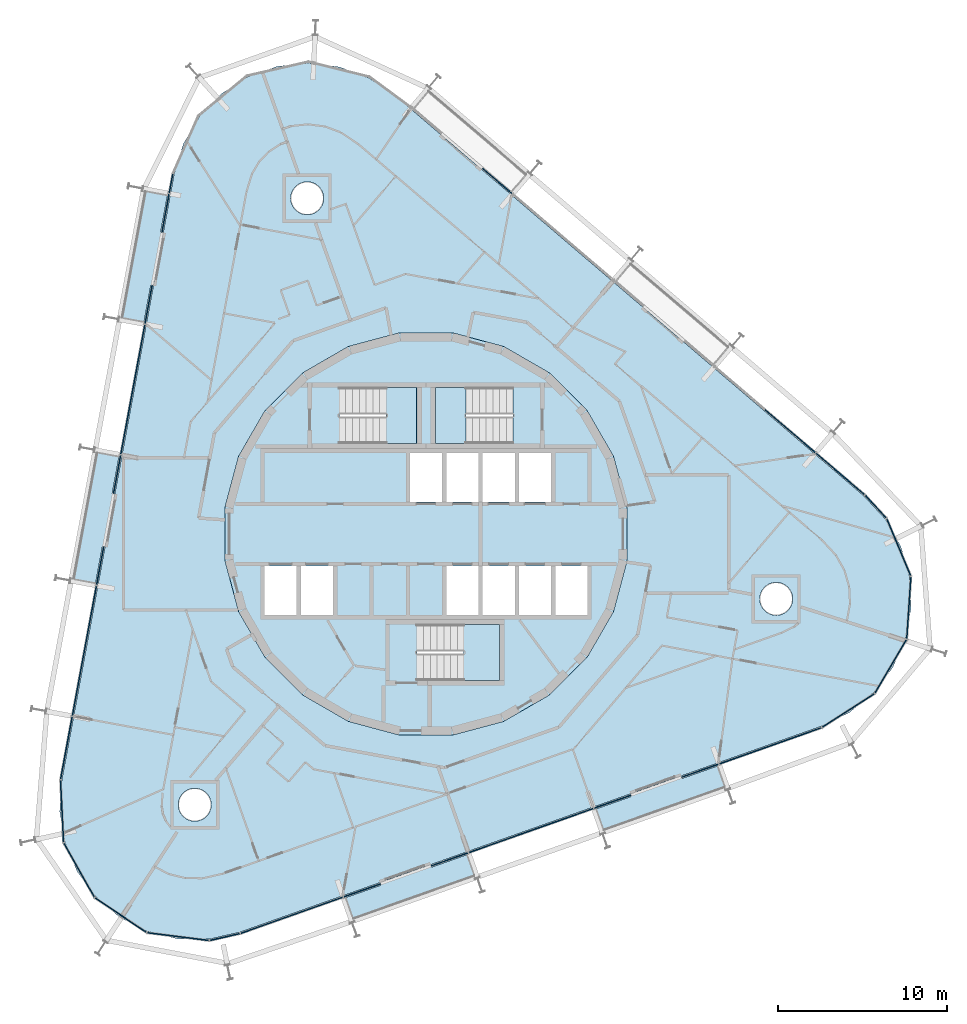
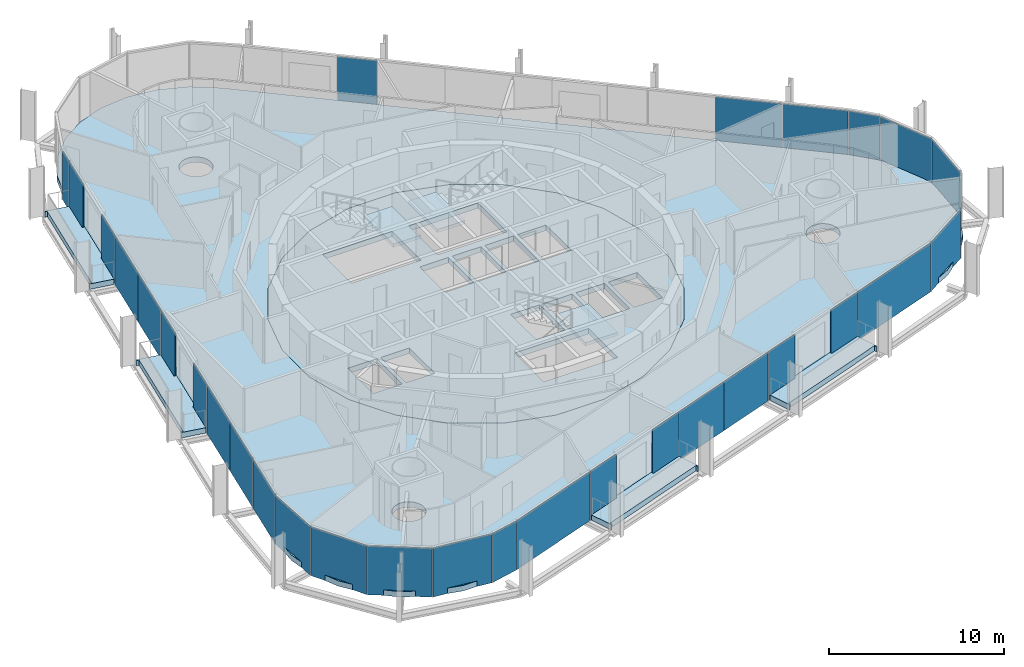
# One storey, part 9 of 17: 31 plates, 9 slabs, 9 elements without a shape of their own.
"""IFC4 building model written with IfcOpenShell, lengths in metres."""

import ifcopenshell
import ifcopenshell.guid

model = None  # the IFC model being written
_history = None  # IfcOwnerHistory: only IFC2X3 demands one
_inside = {}  # id of a spatial element -> (the spatial element, [elements in it])
_under = {}  # id of a project, library or spatial element -> (it, [spatial elements below it])
_declared = {}  # id of a project -> (the project, [libraries it declares])
_typed = {}  # id of a type object -> (the type object, [elements of that type])
_made_of = {}  # id of a material, layer set ... -> (it, [elements and type objects made of it])


def new_model(schema):
    """Start an empty IFC model of exactly this schema.

    Asked for "IFC4X3", IfcOpenShell would pick the latest addendum, in which some entities
    have other attributes; the version numbers below select the first issue.
    IFC2X3 requires an IfcOwnerHistory on every rooted entity: one is made here for all.
    """
    global model, _history
    if schema == "IFC4X3":
        model = ifcopenshell.file(schema_version=(4, 3, 0, 0))
    else:
        model = ifcopenshell.file(schema=schema)
    _inside.clear()
    _under.clear()
    _declared.clear()
    _typed.clear()
    _made_of.clear()
    _history = None
    if model.schema == "IFC2X3":
        org = make("IfcOrganization", Name="unknown")
        user = make(
            "IfcPersonAndOrganization",
            ThePerson=make("IfcPerson", FamilyName="unknown"),
            TheOrganization=org,
        )
        app = make(
            "IfcApplication",
            ApplicationDeveloper=org,
            Version="unknown",
            ApplicationFullName="unknown",
            ApplicationIdentifier="unknown",
        )
        _history = make(
            "IfcOwnerHistory",
            OwningUser=user,
            OwningApplication=app,
            ChangeAction="ADDED",
            CreationDate=0,
        )
    return model


def make(cls, **values):
    """One entity of the class cls with the attributes given. An attribute that is None is left unset."""
    return model.create_entity(
        cls, **{name: value for name, value in values.items() if value is not None}
    )


def rooted(cls, **values):
    """An entity with a GlobalId (a new one), such as an element, a storey or a relation."""
    return make(cls, GlobalId=ifcopenshell.guid.new(), OwnerHistory=_history, **values)


def si_unit(unit_type, name, prefix=None):
    """IfcSIUnit, for example si_unit("LENGTHUNIT", "METRE", prefix="MILLI")."""
    return make("IfcSIUnit", UnitType=unit_type, Prefix=prefix, Name=name)


def assignment(units):
    """IfcUnitAssignment: the units of a project."""
    return None if units is None else make("IfcUnitAssignment", Units=units)


def point(xyz):
    """IfcCartesianPoint."""
    return None if xyz is None else make("IfcCartesianPoint", Coordinates=xyz)


def direction(xyz):
    """IfcDirection."""
    return None if xyz is None else make("IfcDirection", DirectionRatios=xyz)


def frame(location, z_axis=None, x_axis=None):
    """IfcAxis2Placement3D, a coordinate frame: its origin and axes. An axis left out is left unset."""
    return make(
        "IfcAxis2Placement3D",
        Location=point(location),
        Axis=direction(z_axis),
        RefDirection=direction(x_axis),
    )


def frame_2d(location, x_axis=None):
    """IfcAxis2Placement2D, a coordinate frame in the plane: its origin and x axis."""
    return make(
        "IfcAxis2Placement2D", Location=point(location), RefDirection=direction(x_axis)
    )


def origin():
    """The frame at (0, 0, 0) with its axes left unset."""
    return frame((0.0, 0.0, 0.0))


def origin_2d():
    """The frame at (0, 0) in the plane with its x axis left unset."""
    return frame_2d((0.0, 0.0))


def place(relative_to, where):
    """IfcLocalPlacement: puts the frame where relative to a parent placement (None: the world)."""
    return make(
        "IfcLocalPlacement", PlacementRelTo=relative_to, RelativePlacement=where
    )


def context(
    kind, dimensions, precision=None, world=None, true_north=None, identifier=None
):
    """IfcGeometricRepresentationContext, for example the 3D "Model" context."""
    return make(
        "IfcGeometricRepresentationContext",
        ContextIdentifier=identifier,
        ContextType=kind,
        CoordinateSpaceDimension=dimensions,
        Precision=precision,
        WorldCoordinateSystem=world,
        TrueNorth=true_north,
    )


def subcontext(parent, identifier, kind, view, scale=None):
    """IfcGeometricRepresentationSubContext, for example "Body" below "Model"."""
    return make(
        "IfcGeometricRepresentationSubContext",
        ContextIdentifier=identifier,
        ContextType=kind,
        ParentContext=parent,
        TargetScale=scale,
        TargetView=view,
    )


def project(units=None, contexts=None):
    """IfcProject with its units and contexts."""
    return rooted(
        "IfcProject",
        Name="project",
        RepresentationContexts=contexts,
        UnitsInContext=assignment(units),
    )


def spatial(cls, under=None, at=None, **own):
    """A site, building, storey or space (cls), placed at a placement, below another one or the project."""
    s = rooted(cls, ObjectPlacement=at, **own)
    if under is not None:
        _under.setdefault(under.id(), (under, []))[1].append(s)
    return s


def polyline(points):
    """IfcPolyline through the points."""
    return make("IfcPolyline", Points=[point(p) for p in points])


def profile(cls, at=None, kind="AREA", **sizes):
    """A parametric profile (cls). Its sizes go by their IFC names, for example OverallWidth=200.0."""
    return make(cls, ProfileType=kind, Position=at, **sizes)


def rectangle(**sizes):
    """IfcRectangleProfileDef."""
    return profile("IfcRectangleProfileDef", **sizes)


def outline(outer, holes=None, kind="AREA"):
    """IfcArbitraryClosedProfileDef: a profile drawn as a closed curve; with holes, ...WithVoids."""
    if holes is None:
        return make("IfcArbitraryClosedProfileDef", ProfileType=kind, OuterCurve=outer)
    return make(
        "IfcArbitraryProfileDefWithVoids",
        ProfileType=kind,
        OuterCurve=outer,
        InnerCurves=holes,
    )


def extrude(swept, where, along, depth):
    """IfcExtrudedAreaSolid: the profile swept, set in the frame where, extruded along a direction by depth."""
    return make(
        "IfcExtrudedAreaSolid",
        SweptArea=swept,
        Position=where,
        ExtrudedDirection=direction(along),
        Depth=depth,
    )


def shape(context_of_items, identifier, shape_type, items):
    """IfcShapeRepresentation: the items that make up one representation, for example the "Body"."""
    return make(
        "IfcShapeRepresentation",
        ContextOfItems=context_of_items,
        RepresentationIdentifier=identifier,
        RepresentationType=shape_type,
        Items=items,
    )


def material(Name=None, Category=None):
    """IfcMaterial."""
    return make("IfcMaterial", Name=Name, Category=Category)


def layer(
    of_material, thickness, ventilated=None, Name=None, Category=None, Priority=None
):
    """IfcMaterialLayer: one layer of a wall or slab, of a material (None: an air gap)."""
    return make(
        "IfcMaterialLayer",
        Material=of_material,
        LayerThickness=thickness,
        IsVentilated=ventilated,
        Name=Name,
        Category=Category,
        Priority=Priority,
    )


def layer_set(layers, Name=None):
    """IfcMaterialLayerSet."""
    return make("IfcMaterialLayerSet", MaterialLayers=layers, LayerSetName=Name)


def made_of(thing, what):
    """Note that an element or type object is made of a material, layer set ...; save() writes the relation."""
    if what is not None:
        _made_of.setdefault(what.id(), (what, []))[1].append(thing)
    return thing


def type_object(cls, material=None, **own):
    """A type object (cls), such as IfcWallType, which elements share."""
    return made_of(rooted(cls, **own), material)


def element(
    cls,
    number,
    at=None,
    inside=None,
    cuts=None,
    type_object=None,
    material=None,
    context=None,
    identifier="Body",
    shape_type=None,
    held_by="IfcProductDefinitionShape",
    body=None,
    shapes=None,
    **own,
):
    """One element of the class cls, such as IfcWall. Its Tag is "e" and its number.

    at: its placement. inside: the storey or other place that contains it. cuts: it is an
    opening in that element (IfcRelVoidsElement). A single representation is given by context,
    identifier, shape_type and body (its items); several are given by shapes. held_by: the class
    of the entity that holds the representations. save() writes the other relations.
    """
    e = rooted(cls, Tag="e%d" % number, ObjectPlacement=at, **own)
    if body is not None:
        shapes = [shape(context, identifier, shape_type, body)]
    if shapes is not None:
        e.Representation = make(held_by, Representations=shapes)
    if inside is not None:
        _inside.setdefault(inside.id(), (inside, []))[1].append(e)
    if cuts is not None:
        rooted(
            "IfcRelVoidsElement", RelatingBuildingElement=cuts, RelatedOpeningElement=e
        )
    if type_object is not None:
        _typed.setdefault(type_object.id(), (type_object, []))[1].append(e)
    return made_of(e, material)


def aggregate(whole, parts):
    """IfcRelAggregates: a whole, such as a stair, and the parts it consists of."""
    return rooted("IfcRelAggregates", RelatingObject=whole, RelatedObjects=parts)


def save(model, path):
    """Write the relations noted so far, then the file.

    IfcRelAggregates (storeys below a building ...), IfcRelContainedInSpatialStructure (elements
    in a storey), IfcRelDefinesByType, IfcRelAssociatesMaterial and IfcRelDeclares: one each for
    every whole, place, type object, material and project.
    """
    for whole, parts in _under.values():
        aggregate(whole, parts)
    for where, things in _inside.values():
        rooted(
            "IfcRelContainedInSpatialStructure",
            RelatedElements=things,
            RelatingStructure=where,
        )
    for kind, things in _typed.values():
        rooted("IfcRelDefinesByType", RelatedObjects=things, RelatingType=kind)
    for what, things in _made_of.values():
        rooted("IfcRelAssociatesMaterial", RelatedObjects=things, RelatingMaterial=what)
    for by, libraries in _declared.values():
        rooted("IfcRelDeclares", RelatingContext=by, RelatedDefinitions=libraries)
    model.write(path)


model = new_model("IFC4")

# Units and contexts
model_context = context("Model", 3, precision=1e-05, world=origin(), true_north=direction((0.0, 1.0)))
body_context = subcontext(model_context, "Body", "Model", "MODEL_VIEW")
ifc_project = project(units=[si_unit("LENGTHUNIT", "METRE"), si_unit("AREAUNIT", "SQUARE_METRE"), si_unit("VOLUMEUNIT", "CUBIC_METRE"), si_unit("PLANEANGLEUNIT", "RADIAN"), si_unit("MASSUNIT", "GRAM", prefix="KILO")], contexts=[model_context])

# Site, building, storey
site_placement = place(None, origin())
site = spatial("IfcSite", under=ifc_project, at=site_placement, CompositionType="ELEMENT")
building_placement = place(site_placement, origin())
building = spatial("IfcBuilding", under=site, at=building_placement, Name="Spindle Arch Residences", CompositionType="ELEMENT")
storey_placement = place(building_placement, frame((0.0, 0.0, 158.699951171875)))
storey = spatial("IfcBuildingStorey", under=building, at=storey_placement, Name="L39", CompositionType="ELEMENT", Elevation=158.699951171875)

# Slabs
ifc_material_1 = material(Name="Concrete C40/50", Category="concrete")
ifc_layer_1 = layer(ifc_material_1, 0.3798828125)
ifc_layer_set_1 = layer_set([ifc_layer_1], Name="Balcony slab 380")
slab_type_1 = type_object("IfcSlabType", Name="Balcony slab 380", PredefinedType="FLOOR", material=ifc_layer_set_1)
slab_1_placement = place(storey_placement, frame((0.0, 0.0, -0.3798828125)))
element("IfcSlab", 1, at=slab_1_placement, inside=storey, type_object=slab_type_1, Name="Balcony L39 bay 1", PredefinedType="FLOOR", context=body_context, shape_type="SweptSolid", body=[
    extrude(outline(polyline([(10.512451171875, -17.6884765625), (10.583251953125, -17.663330078125), (10.533203125, -17.52197265625), (17.65966796875, -14.998291015625), (17.709716796875, -15.1396484375), (17.7802734375, -15.11474609375), (17.282958984375, -13.710205078125), (15.1572265625, -14.462890625), (15.10400390625, -14.31201171875), (12.08740234375, -15.38037109375), (12.140869140625, -15.531005859375), (10.01513671875, -16.283935546875), (10.512451171875, -17.6884765625)])), origin(), (0.0, 0.0, 1.0), 0.3798828125),
])
slab_2_placement = place(storey_placement, frame((0.0, 0.0, -0.3798828125)))
element("IfcSlab", 2, at=slab_2_placement, inside=storey, type_object=slab_type_1, Name="Balcony L39 bay 13", PredefinedType="FLOOR", context=body_context, shape_type="SweptSolid", body=[
    extrude(outline(polyline([(-16.755126953125, 20.349365234375), (-16.768798828125, 20.275634765625), (-16.621337890625, 20.248291015625), (-17.9990234375, 12.814697265625), (-18.146484375, 12.842041015625), (-18.16015625, 12.768310546875), (-16.695068359375, 12.496826171875), (-16.2841796875, 14.714111328125), (-16.126953125, 14.684814453125), (-15.543701171875, 17.831298828125), (-15.700927734375, 17.860595703125), (-15.2900390625, 20.077880859375), (-16.755126953125, 20.349365234375)])), origin(), (0.0, 0.0, 1.0), 0.3798828125),
])
slab_3_placement = place(storey_placement, frame((0.0, 0.0, -0.3798828125)))
element("IfcSlab", 3, at=slab_3_placement, inside=storey, type_object=slab_type_1, Name="Balcony L39 bay 15", PredefinedType="FLOOR", context=body_context, shape_type="SweptSolid", body=[
    extrude(outline(polyline([(-19.619873046875, 4.892333984375), (-19.633544921875, 4.818603515625), (-19.486083984375, 4.791259765625), (-20.86376953125, -2.64208984375), (-21.01123046875, -2.61474609375), (-21.02490234375, -2.6884765625), (-19.559814453125, -2.960205078125), (-19.14892578125, -0.742919921875), (-18.99169921875, -0.77197265625), (-18.408447265625, 2.37451171875), (-18.56591796875, 2.403564453125), (-18.15478515625, 4.620849609375), (-19.619873046875, 4.892333984375)])), origin(), (0.0, 0.0, 1.0), 0.3798828125),
])
slab_4_placement = place(storey_placement, frame((0.0, 0.0, -0.3798828125)))
element("IfcSlab", 4, at=slab_4_placement, inside=storey, type_object=slab_type_1, Name="Balcony L39 bay 21", PredefinedType="FLOOR", context=body_context, shape_type="SweptSolid", body=[
    extrude(outline(polyline([(-4.305908203125, -22.935791015625), (-4.2353515625, -22.910888671875), (-4.285400390625, -22.76953125), (2.841064453125, -20.245849609375), (2.89111328125, -20.38720703125), (2.9619140625, -20.3623046875), (2.464599609375, -18.957763671875), (0.3388671875, -19.71044921875), (0.285400390625, -19.5595703125), (-2.73095703125, -20.627685546875), (-2.677734375, -20.778564453125), (-4.80322265625, -21.53125), (-4.305908203125, -22.935791015625)])), origin(), (0.0, 0.0, 1.0), 0.3798828125),
])
ifc_material_2 = material(Name="Concrete C50/60", Category="concrete")
ifc_layer_2 = layer(ifc_material_2, 0.3798828125)
ifc_layer_set_2 = layer_set([ifc_layer_2], Name="Core floor slab 380")
slab_type_2 = type_object("IfcSlabType", Name="Core floor slab 380", PredefinedType="FLOOR", material=ifc_layer_set_2)
slab_5_placement = place(storey_placement, frame((0.0, 0.0, -0.3798828125)))
element("IfcSlab", 5, at=slab_5_placement, inside=storey, type_object=slab_type_2, Name="Core floor L39", PredefinedType="FLOOR", context=body_context, shape_type="SweptSolid", body=[
    extrude(outline(polyline([(1.56640625, -11.897216796875), (4.59228515625, -11.086669921875), (7.30517578125, -9.520263671875), (9.520263671875, -7.30517578125), (11.086669921875, -4.59228515625), (11.897216796875, -1.56640625), (11.897216796875, 1.56640625), (11.086669921875, 4.59228515625), (9.520263671875, 7.30517578125), (7.30517578125, 9.520263671875), (4.59228515625, 11.086669921875), (1.56640625, 11.897216796875), (-1.56640625, 11.897216796875), (-4.59228515625, 11.086669921875), (-7.30517578125, 9.520263671875), (-9.520263671875, 7.30517578125), (-11.086669921875, 4.59228515625), (-11.897216796875, 1.56640625), (-11.897216796875, -1.56640625), (-11.086669921875, -4.59228515625), (-9.520263671875, -7.30517578125), (-7.30517578125, -9.520263671875), (-4.59228515625, -11.086669921875), (-1.56640625, -11.897216796875), (1.56640625, -11.897216796875)]), holes=[polyline([(-0.949951171875, 1.89990234375), (0.949951171875, 1.89990234375), (0.949951171875, 4.800048828125), (-0.949951171875, 4.800048828125), (-0.949951171875, 1.89990234375)]), polyline([(1.199951171875, 1.89990234375), (3.10009765625, 1.89990234375), (3.10009765625, 4.800048828125), (1.199951171875, 4.800048828125), (1.199951171875, 1.89990234375)]), polyline([(3.35009765625, 1.89990234375), (5.25, 1.89990234375), (5.25, 4.800048828125), (3.35009765625, 4.800048828125), (3.35009765625, 1.89990234375)]), polyline([(5.5, 1.89990234375), (7.39990234375, 1.89990234375), (7.39990234375, 4.800048828125), (5.5, 4.800048828125), (5.5, 1.89990234375)]), polyline([(-9.550048828125, -4.800048828125), (-7.64990234375, -4.800048828125), (-7.64990234375, -1.89990234375), (-9.550048828125, -1.89990234375), (-9.550048828125, -4.800048828125)]), polyline([(-7.39990234375, -4.800048828125), (-5.5, -4.800048828125), (-5.5, -1.89990234375), (-7.39990234375, -1.89990234375), (-7.39990234375, -4.800048828125)]), polyline([(1.199951171875, -4.800048828125), (3.10009765625, -4.800048828125), (3.10009765625, -1.89990234375), (1.199951171875, -1.89990234375), (1.199951171875, -4.800048828125)]), polyline([(3.35009765625, -4.800048828125), (5.25, -4.800048828125), (5.25, -1.89990234375), (3.35009765625, -1.89990234375), (3.35009765625, -4.800048828125)]), polyline([(5.5, -4.800048828125), (7.39990234375, -4.800048828125), (7.39990234375, -1.89990234375), (5.5, -1.89990234375), (5.5, -4.800048828125)]), polyline([(7.64990234375, -4.800048828125), (9.550048828125, -4.800048828125), (9.550048828125, -1.89990234375), (7.64990234375, -1.89990234375), (7.64990234375, -4.800048828125)]), polyline([(5.1298828125, 8.669921875), (0.550048828125, 8.669921875), (0.550048828125, 5.35009765625), (5.1298828125, 5.35009765625), (5.1298828125, 8.669921875)]), polyline([(-5.1298828125, 5.35009765625), (-0.550048828125, 5.35009765625), (-0.550048828125, 8.669921875), (-5.1298828125, 8.669921875), (-5.1298828125, 5.35009765625)]), polyline([(-0.530029296875, -8.669921875), (4.35009765625, -8.669921875), (4.35009765625, -5.35009765625), (-0.530029296875, -5.35009765625), (-0.530029296875, -8.669921875)])]), origin(), (0.0, 0.0, 1.0), 0.3798828125),
])

# Stair, slab
ifc_material_3 = material(Name="Concrete C50/60", Category="concrete")
stair_type = type_object("IfcStairType", Name="Exit stair 16 risers", PredefinedType="HALF_TURN_STAIR", material=ifc_material_3)
stair_1_placement = place(storey_placement, origin())
stair_1 = element("IfcStair", 6, at=stair_1_placement, inside=storey, type_object=stair_type, Name="L39 Exit stair ST1", PredefinedType="HALF_TURN_STAIR")
ifc_material_4 = material(Name="Concrete C50/60", Category="concrete")
ifc_layer_3 = layer(ifc_material_4, 0.219970703125)
ifc_layer_set_3 = layer_set([ifc_layer_3], Name="Exit stair landing 220")
slab_type_3 = type_object("IfcSlabType", Name="Exit stair landing 220", PredefinedType="LANDING", material=ifc_layer_set_3)
slab_6_placement = place(storey_placement, frame((0.0, 0.0, 1.530029296875)))
slab_6 = element("IfcSlab", 7, at=slab_6_placement, type_object=slab_type_3, Name="ST1 landing 1", PredefinedType="LANDING", context=body_context, shape_type="SweptSolid", body=[
    extrude(outline(polyline([(2.3701171875, 8.669921875), (0.550048828125, 8.669921875), (0.550048828125, 5.35009765625), (2.3701171875, 5.35009765625), (2.3701171875, 8.669921875)])), origin(), (0.0, 0.0, 1.0), 0.219970703125),
])
aggregate(stair_1, [slab_6])

stair_2_placement = place(storey_placement, origin())
stair_2 = element("IfcStair", 8, at=stair_2_placement, inside=storey, type_object=stair_type, Name="L39 Exit stair ST2", PredefinedType="HALF_TURN_STAIR")
slab_7_placement = place(storey_placement, frame((0.0, 0.0, 1.530029296875)))
slab_7 = element("IfcSlab", 9, at=slab_7_placement, type_object=slab_type_3, Name="ST2 landing 1", PredefinedType="LANDING", context=body_context, shape_type="SweptSolid", body=[
    extrude(outline(polyline([(-2.3701171875, 5.35009765625), (-0.550048828125, 5.35009765625), (-0.550048828125, 8.669921875), (-2.3701171875, 8.669921875), (-2.3701171875, 5.35009765625)])), origin(), (0.0, 0.0, 1.0), 0.219970703125),
])
aggregate(stair_2, [slab_7])

stair_3_placement = place(storey_placement, origin())
stair_3 = element("IfcStair", 10, at=stair_3_placement, inside=storey, type_object=stair_type, Name="L39 Exit stair ST3", PredefinedType="HALF_TURN_STAIR")
slab_8_placement = place(storey_placement, frame((0.0, 0.0, 1.530029296875)))
slab_8 = element("IfcSlab", 11, at=slab_8_placement, type_object=slab_type_3, Name="ST3 landing 1", PredefinedType="LANDING", context=body_context, shape_type="SweptSolid", body=[
    extrude(outline(polyline([(2.22998046875, -8.669921875), (4.35009765625, -8.669921875), (4.35009765625, -5.35009765625), (2.22998046875, -5.35009765625), (2.22998046875, -8.669921875)])), origin(), (0.0, 0.0, 1.0), 0.219970703125),
])
aggregate(stair_3, [slab_8])

# Slab
ifc_material_5 = material(Name="Concrete C40/50", Category="concrete")
ifc_layer_4 = layer(ifc_material_5, 0.3798828125)
ifc_layer_set_4 = layer_set([ifc_layer_4], Name="Floor slab 380")
slab_type_4 = type_object("IfcSlabType", Name="Floor slab 380", PredefinedType="FLOOR", material=ifc_layer_set_4)
slab_9_placement = place(storey_placement, frame((0.0, 0.0, -0.3798828125)))
element("IfcSlab", 12, at=slab_9_placement, inside=storey, type_object=slab_type_4, Name="Floor slab L39", PredefinedType="FLOOR", context=body_context, shape_type="SweptSolid", body=[
    extrude(outline(polyline([(-12.82177734375, -23.972412109375), (-14.67919921875, -23.9560546875), (-16.48291015625, -23.511962890625), (-18.135498046875, -22.663818359375), (-19.5478515625, -21.45751953125), (-20.64404296875, -19.9580078125), (-21.36474609375, -18.24609375), (-21.67138671875, -16.4140625), (-21.547119140625, -14.560791015625), (-14.89794921875, 21.3154296875), (-14.349609375, 23.090087890625), (-13.406982421875, 24.690673828125), (-12.12060546875, 26.030517578125), (-10.559814453125, 27.03759765625), (-8.808837890625, 27.65771484375), (-6.962158203125, 27.857421875), (-5.119140625, 27.62548828125), (-3.37939453125, 26.97509765625), (-1.83642578125, 25.94091796875), (25.90869140625, 2.244384765625), (27.171630859375, 0.882080078125), (28.086181640625, -0.734619140625), (28.603515625, -2.5185546875), (28.6953125, -4.373779296875), (28.356689453125, -6.2001953125), (27.606201171875, -7.8994140625), (26.48388671875, -9.37939453125), (25.05078125, -10.56103515625), (23.383544921875, -11.380126953125), (6.186279296875, -17.469970703125), (-11.0107421875, -23.559814453125), (-12.82177734375, -23.972412109375)]), holes=[polyline([(7.30517578125, -9.520263671875), (9.520263671875, -7.30517578125), (11.086669921875, -4.59228515625), (11.897216796875, -1.56640625), (11.897216796875, 1.56640625), (11.086669921875, 4.59228515625), (9.520263671875, 7.30517578125), (7.30517578125, 9.520263671875), (4.59228515625, 11.086669921875), (1.56640625, 11.897216796875), (-1.56640625, 11.897216796875), (-4.59228515625, 11.086669921875), (-7.30517578125, 9.520263671875), (-9.520263671875, 7.30517578125), (-11.086669921875, 4.59228515625), (-11.897216796875, 1.56640625), (-11.897216796875, -1.56640625), (-11.086669921875, -4.59228515625), (-9.520263671875, -7.30517578125), (-7.30517578125, -9.520263671875), (-4.59228515625, -11.086669921875), (-1.56640625, -11.897216796875), (1.56640625, -11.897216796875), (4.59228515625, -11.086669921875), (7.30517578125, -9.520263671875)]), polyline([(-12.99169921875, -16.7080078125), (-12.87060546875, -16.560302734375), (-12.780517578125, -16.3916015625), (-12.724853515625, -16.208740234375), (-12.706298828125, -16.0185546875), (-12.724853515625, -15.828369140625), (-12.780517578125, -15.6455078125), (-12.87060546875, -15.476806640625), (-12.99169921875, -15.3291015625), (-13.139404296875, -15.2080078125), (-13.30810546875, -15.117919921875), (-13.490966796875, -15.062255859375), (-13.68115234375, -15.043701171875), (-13.871337890625, -15.062255859375), (-14.05419921875, -15.117919921875), (-14.222900390625, -15.2080078125), (-14.37060546875, -15.3291015625), (-14.491943359375, -15.476806640625), (-14.58203125, -15.6455078125), (-14.637451171875, -15.828369140625), (-14.65625, -16.0185546875), (-14.637451171875, -16.208740234375), (-14.58203125, -16.3916015625), (-14.491943359375, -16.560302734375), (-14.37060546875, -16.7080078125), (-14.222900390625, -16.829345703125), (-14.05419921875, -16.91943359375), (-13.871337890625, -16.974853515625), (-13.68115234375, -16.99365234375), (-13.490966796875, -16.974853515625), (-13.30810546875, -16.91943359375), (-13.139404296875, -16.829345703125), (-12.99169921875, -16.7080078125)]), polyline([(-6.22119140625, 19.31591796875), (-6.131103515625, 19.484619140625), (-6.07568359375, 19.66748046875), (-6.056884765625, 19.857666015625), (-6.07568359375, 20.0478515625), (-6.131103515625, 20.230712890625), (-6.22119140625, 20.3994140625), (-6.342529296875, 20.547119140625), (-6.490234375, 20.668212890625), (-6.65869140625, 20.75830078125), (-6.841796875, 20.81396484375), (-7.031982421875, 20.83251953125), (-7.22216796875, 20.81396484375), (-7.405029296875, 20.75830078125), (-7.573486328125, 20.668212890625), (-7.72119140625, 20.547119140625), (-7.842529296875, 20.3994140625), (-7.9326171875, 20.230712890625), (-7.98828125, 20.0478515625), (-8.0068359375, 19.857666015625), (-7.98828125, 19.66748046875), (-7.9326171875, 19.484619140625), (-7.842529296875, 19.31591796875), (-7.72119140625, 19.168212890625), (-7.573486328125, 19.046875), (-7.405029296875, 18.956787109375), (-7.22216796875, 18.9013671875), (-7.031982421875, 18.882568359375), (-6.841796875, 18.9013671875), (-6.65869140625, 18.956787109375), (-6.490234375, 19.046875), (-6.342529296875, 19.168212890625), (-6.22119140625, 19.31591796875)]), polyline([(21.523681640625, -4.380615234375), (21.614013671875, -4.212158203125), (21.66943359375, -4.029296875), (21.68798828125, -3.839111328125), (21.66943359375, -3.648681640625), (21.614013671875, -3.4658203125), (21.523681640625, -3.29736328125), (21.402587890625, -3.149658203125), (21.2548828125, -3.0283203125), (21.086181640625, -2.938232421875), (20.9033203125, -2.8828125), (20.713134765625, -2.864013671875), (20.52294921875, -2.8828125), (20.340087890625, -2.938232421875), (20.17138671875, -3.0283203125), (20.023681640625, -3.149658203125), (19.90234375, -3.29736328125), (19.812255859375, -3.4658203125), (19.7568359375, -3.648681640625), (19.738037109375, -3.839111328125), (19.7568359375, -4.029296875), (19.812255859375, -4.212158203125), (19.90234375, -4.380615234375), (20.023681640625, -4.5283203125), (20.17138671875, -4.649658203125), (20.340087890625, -4.73974609375), (20.52294921875, -4.79541015625), (20.713134765625, -4.81396484375), (20.9033203125, -4.79541015625), (21.086181640625, -4.73974609375), (21.2548828125, -4.649658203125), (21.402587890625, -4.5283203125), (21.523681640625, -4.380615234375)])]), origin(), (0.0, 0.0, 1.0), 0.3798828125),
])

# Curtain wall, plates
ifc_material_6 = material(Name="Aluminium bronze unitised frame with tinted glass", Category="aluminium")
ifc_layer_5 = layer(ifc_material_6, 0.159912109375)
ifc_layer_set_5 = layer_set([ifc_layer_5], Name="CW-D corner wall on the fillet arcs")
curtain_wall_type_1 = type_object("IfcCurtainWallType", Name="CW-D corner wall on the fillet arcs", PredefinedType="NOTDEFINED", material=ifc_layer_set_5)
curtain_wall_1_placement = place(storey_placement, origin())
curtain_wall_1 = element("IfcCurtainWall", 13, at=curtain_wall_1_placement, inside=storey, type_object=curtain_wall_type_1, Name="CW-D L39 run 1", PredefinedType="NOTDEFINED")
ifc_material_7 = material(Name="Tinted double glazing over aluminium faced non-combustible spandrel zone (K0)", Category="aluminium")
ifc_layer_6 = layer(ifc_material_7, 0.06005859375)
ifc_layer_set_6 = layer_set([ifc_layer_6], Name="Unitised glass panel with E 60 spandrel zone")
plate_type = type_object("IfcPlateType", Name="Unitised glass panel with E 60 spandrel zone", PredefinedType="CURTAIN_PANEL", material=ifc_layer_set_6)
plate_1_placement = place(storey_placement, frame((20.36865234375, -12.53271484375, -0.3798828125), z_axis=(0.0, 0.0, 1.0), x_axis=(0.942641491092, 0.333806859234, 0.0)))
plate_1 = element("IfcPlate", 14, at=plate_1_placement, type_object=plate_type, Name="CW-D unit 00", PredefinedType="CURTAIN_PANEL", context=body_context, shape_type="SweptSolid", body=[
    extrude(rectangle(XDim=6.3935546875, YDim=0.06005859375, at=origin_2d()), origin(), (0.0, 0.0, 1.0), 3.3798828125),
])
plate_2_placement = place(storey_placement, frame((24.97607421875, -10.445068359375, -0.3798828125), z_axis=(0.0, 0.0, 1.0), x_axis=(0.840251309898, 0.542197137778, 0.0)))
plate_2 = element("IfcPlate", 15, at=plate_2_placement, type_object=plate_type, Name="CW-D unit 01", PredefinedType="CURTAIN_PANEL", context=body_context, shape_type="SweptSolid", body=[
    extrude(rectangle(XDim=3.666748046875, YDim=0.06005859375, at=origin_2d()), origin(), (0.0, 0.0, 1.0), 3.3798828125),
])
plate_3_placement = place(storey_placement, frame((27.487548828125, -7.829345703125, -0.3798828125), z_axis=(0.0, 0.0, 1.0), x_axis=(0.507538365713, 0.86162915882, 0.0)))
plate_3 = element("IfcPlate", 16, at=plate_3_placement, type_object=plate_type, Name="CW-D unit 02", PredefinedType="CURTAIN_PANEL", context=body_context, shape_type="SweptSolid", body=[
    extrude(rectangle(XDim=3.666748046875, YDim=0.06005859375, at=origin_2d()), origin(), (0.0, 0.0, 1.0), 3.3798828125),
])
plate_4_placement = place(storey_placement, frame((28.557861328125, -4.364501953125, -0.3798828125), z_axis=(0.0, 0.0, 1.0), x_axis=(0.066854392204, 0.997762742461, 0.0)))
plate_4 = element("IfcPlate", 17, at=plate_4_placement, type_object=plate_type, Name="CW-D unit 03", PredefinedType="CURTAIN_PANEL", context=body_context, shape_type="SweptSolid", body=[
    extrude(rectangle(XDim=3.666748046875, YDim=0.06005859375, at=origin_2d()), origin(), (0.0, 0.0, 1.0), 3.3798828125),
])
plate_5_placement = place(storey_placement, frame((27.959228515625, -0.7880859375, -0.3798828125), z_axis=(0.0, 0.0, 1.0), x_axis=(-0.388051836633, 0.921637549195, 0.0)))
plate_5 = element("IfcPlate", 18, at=plate_5_placement, type_object=plate_type, Name="CW-D unit 04", PredefinedType="CURTAIN_PANEL", context=body_context, shape_type="SweptSolid", body=[
    extrude(rectangle(XDim=3.666748046875, YDim=0.06005859375, at=origin_2d()), origin(), (0.0, 0.0, 1.0), 3.3798828125),
])
plate_6_placement = place(storey_placement, frame((26.598388671875, 1.6171875, -0.3798828125), z_axis=(0.0, 0.0, 1.0), x_axis=(-0.679868057543, 0.733334455983, 0.0)))
plate_6 = element("IfcPlate", 19, at=plate_6_placement, type_object=plate_type, Name="CW-D unit 05", PredefinedType="CURTAIN_PANEL", context=body_context, shape_type="SweptSolid", body=[
    extrude(rectangle(XDim=1.816162109375, YDim=0.06005859375, at=origin_2d()), origin(), (0.0, 0.0, 1.0), 3.3798828125),
])
plate_7_placement = place(storey_placement, frame((24.503173828125, 3.550048828125, -0.3798828125), z_axis=(0.0, 0.0, 1.0), x_axis=(-0.7604059656, 0.64944804833, 0.0)))
plate_7 = element("IfcPlate", 20, at=plate_7_placement, type_object=plate_type, Name="CW-D unit 06", PredefinedType="CURTAIN_PANEL", context=body_context, shape_type="SweptSolid", body=[
    extrude(rectangle(XDim=3.7734375, YDim=0.06005859375, at=origin_2d()), origin(), (0.0, 0.0, 1.0), 3.3798828125),
])
aggregate(curtain_wall_1, [plate_1, plate_2, plate_3, plate_4, plate_5, plate_6, plate_7])

ifc_material_8 = material(Name="Aluminium bronze unitised frame with tinted glass", Category="aluminium")
ifc_layer_7 = layer(ifc_material_8, 0.159912109375)
ifc_layer_set_7 = layer_set([ifc_layer_7], Name="CW-C typical residential unitised wall")
curtain_wall_type_2 = type_object("IfcCurtainWallType", Name="CW-C typical residential unitised wall", PredefinedType="NOTDEFINED", material=ifc_layer_set_7)
curtain_wall_2_placement = place(storey_placement, origin())
curtain_wall_2 = element("IfcCurtainWall", 21, at=curtain_wall_2_placement, inside=storey, type_object=curtain_wall_type_2, Name="CW-C L39 run 2", PredefinedType="NOTDEFINED")
plate_8_placement = place(storey_placement, frame((21.5400390625, 6.08056640625, -0.3798828125), z_axis=(0.0, 0.0, 1.0), x_axis=(-0.7604059656, 0.64944804833, 0.0)))
plate_8 = element("IfcPlate", 22, at=plate_8_placement, type_object=plate_type, Name="CW-C unit 05A", PredefinedType="CURTAIN_PANEL", context=body_context, shape_type="SweptSolid", body=[
    extrude(rectangle(XDim=3.900146484375, YDim=0.06005859375, at=origin_2d()), origin(), (0.0, 0.0, 1.0), 3.3798828125),
])
plate_9_placement = place(storey_placement, frame((4.2177734375, 20.875244140625, -0.3798828125), z_axis=(0.0, 0.0, 1.0), x_axis=(-0.7604059656, 0.64944804833, 0.0)))
plate_9 = element("IfcPlate", 23, at=plate_9_placement, type_object=plate_type, Name="CW-C unit 08L", PredefinedType="CURTAIN_PANEL", context=body_context, shape_type="SweptSolid", body=[
    extrude(rectangle(XDim=2.300048828125, YDim=0.06005859375, at=origin_2d()), origin(), (0.0, 0.0, 1.0), 3.3798828125),
])
aggregate(curtain_wall_2, [plate_8, plate_9])

# Curtain wall, plate
curtain_wall_3_placement = place(storey_placement, origin())
curtain_wall_3 = element("IfcCurtainWall", 24, at=curtain_wall_3_placement, inside=storey, type_object=curtain_wall_type_1, Name="CW-D L39 run 3", PredefinedType="NOTDEFINED")
plate_10_placement = place(storey_placement, frame((-15.087158203125, 20.7333984375, -0.3798828125), z_axis=(0.0, 0.0, 1.0), x_axis=(-0.182235525492, -0.983254907564, 0.0)))
plate_10 = element("IfcPlate", 25, at=plate_10_placement, type_object=plate_type, Name="CW-D unit 05", PredefinedType="CURTAIN_PANEL", context=body_context, shape_type="SweptSolid", body=[
    extrude(rectangle(XDim=1.1533203125, YDim=0.06005859375, at=origin_2d()), origin(), (0.0, 0.0, 1.0), 3.3798828125),
])
aggregate(curtain_wall_3, [plate_10])

# Curtain wall, plates
curtain_wall_4_placement = place(storey_placement, origin())
curtain_wall_4 = element("IfcCurtainWall", 26, at=curtain_wall_4_placement, inside=storey, type_object=curtain_wall_type_2, Name="CW-C L39 run 4", PredefinedType="NOTDEFINED")
plate_11_placement = place(storey_placement, frame((-15.412841796875, 18.9765625, -0.3798828125), z_axis=(0.0, 0.0, 1.0), x_axis=(-0.182235525492, -0.983254907564, 0.0)))
plate_11 = element("IfcPlate", 27, at=plate_11_placement, type_object=plate_type, Name="CW-C unit 12L", PredefinedType="CURTAIN_PANEL", context=body_context, shape_type="SweptSolid", body=[
    extrude(rectangle(XDim=2.300048828125, YDim=0.06005859375, at=origin_2d()), origin(), (0.0, 0.0, 1.0), 3.3798828125),
])
plate_12_placement = place(storey_placement, frame((-16.4150390625, 13.56884765625, -0.3798828125), z_axis=(0.0, 0.0, 1.0), x_axis=(-0.182235525492, -0.983254907564, 0.0)))
plate_12 = element("IfcPlate", 28, at=plate_12_placement, type_object=plate_type, Name="CW-C unit 12R", PredefinedType="CURTAIN_PANEL", context=body_context, shape_type="SweptSolid", body=[
    extrude(rectangle(XDim=2.300048828125, YDim=0.06005859375, at=origin_2d()), origin(), (0.0, 0.0, 1.0), 3.3798828125),
])
plate_13_placement = place(storey_placement, frame((-16.990966796875, 10.461669921875, -0.3798828125), z_axis=(0.0, 0.0, 1.0), x_axis=(-0.182235525492, -0.983254907564, 0.0)))
plate_13 = element("IfcPlate", 29, at=plate_13_placement, type_object=plate_type, Name="CW-C unit 13A", PredefinedType="CURTAIN_PANEL", context=body_context, shape_type="SweptSolid", body=[
    extrude(rectangle(XDim=3.900146484375, YDim=0.06005859375, at=origin_2d()), origin(), (0.0, 0.0, 1.0), 3.3798828125),
])
plate_14_placement = place(storey_placement, frame((-17.70166015625, 6.626953125, -0.3798828125), z_axis=(0.0, 0.0, 1.0), x_axis=(-0.182235525492, -0.983254907564, 0.0)))
plate_14 = element("IfcPlate", 30, at=plate_14_placement, type_object=plate_type, Name="CW-C unit 13B", PredefinedType="CURTAIN_PANEL", context=body_context, shape_type="SweptSolid", body=[
    extrude(rectangle(XDim=3.900146484375, YDim=0.06005859375, at=origin_2d()), origin(), (0.0, 0.0, 1.0), 3.3798828125),
])
plate_15_placement = place(storey_placement, frame((-18.277587890625, 3.519775390625, -0.3798828125), z_axis=(0.0, 0.0, 1.0), x_axis=(-0.182235525492, -0.983254907564, 0.0)))
plate_15 = element("IfcPlate", 31, at=plate_15_placement, type_object=plate_type, Name="CW-C unit 14L", PredefinedType="CURTAIN_PANEL", context=body_context, shape_type="SweptSolid", body=[
    extrude(rectangle(XDim=2.300048828125, YDim=0.06005859375, at=origin_2d()), origin(), (0.0, 0.0, 1.0), 3.3798828125),
])
plate_16_placement = place(storey_placement, frame((-19.27978515625, -1.88818359375, -0.3798828125), z_axis=(0.0, 0.0, 1.0), x_axis=(-0.182235525492, -0.983254907564, 0.0)))
plate_16 = element("IfcPlate", 32, at=plate_16_placement, type_object=plate_type, Name="CW-C unit 14R", PredefinedType="CURTAIN_PANEL", context=body_context, shape_type="SweptSolid", body=[
    extrude(rectangle(XDim=2.300048828125, YDim=0.06005859375, at=origin_2d()), origin(), (0.0, 0.0, 1.0), 3.3798828125),
])
plate_17_placement = place(storey_placement, frame((-19.855712890625, -4.995361328125, -0.3798828125), z_axis=(0.0, 0.0, 1.0), x_axis=(-0.182235525492, -0.983254907564, 0.0)))
plate_17 = element("IfcPlate", 33, at=plate_17_placement, type_object=plate_type, Name="CW-C unit 15A", PredefinedType="CURTAIN_PANEL", context=body_context, shape_type="SweptSolid", body=[
    extrude(rectangle(XDim=3.900146484375, YDim=0.06005859375, at=origin_2d()), origin(), (0.0, 0.0, 1.0), 3.3798828125),
])
plate_18_placement = place(storey_placement, frame((-20.56640625, -8.830078125, -0.3798828125), z_axis=(0.0, 0.0, 1.0), x_axis=(-0.182235525492, -0.983254907564, 0.0)))
plate_18 = element("IfcPlate", 34, at=plate_18_placement, type_object=plate_type, Name="CW-C unit 15B", PredefinedType="CURTAIN_PANEL", context=body_context, shape_type="SweptSolid", body=[
    extrude(rectangle(XDim=3.900146484375, YDim=0.06005859375, at=origin_2d()), origin(), (0.0, 0.0, 1.0), 3.3798828125),
])
aggregate(curtain_wall_4, [plate_11, plate_12, plate_13, plate_14, plate_15, plate_16, plate_17, plate_18])

curtain_wall_5_placement = place(storey_placement, origin())
curtain_wall_5 = element("IfcCurtainWall", 35, at=curtain_wall_5_placement, inside=storey, type_object=curtain_wall_type_1, Name="CW-D L39 run 5", PredefinedType="NOTDEFINED")
plate_19_placement = place(storey_placement, frame((-21.276611328125, -12.66162109375, -0.3798828125), z_axis=(0.0, 0.0, 1.0), x_axis=(-0.182235525492, -0.983254907564, 0.0)))
plate_19 = element("IfcPlate", 36, at=plate_19_placement, type_object=plate_type, Name="CW-D unit 00", PredefinedType="CURTAIN_PANEL", context=body_context, shape_type="SweptSolid", body=[
    extrude(rectangle(XDim=3.7734375, YDim=0.06005859375, at=origin_2d()), origin(), (0.0, 0.0, 1.0), 3.3798828125),
])
plate_20_placement = place(storey_placement, frame((-21.53369140625, -16.4072265625, -0.3798828125), z_axis=(0.0, 0.0, 1.0), x_axis=(0.049430843939, -0.99877754864, 0.0)))
plate_20 = element("IfcPlate", 37, at=plate_20_placement, type_object=plate_type, Name="CW-D unit 01", PredefinedType="CURTAIN_PANEL", context=body_context, shape_type="SweptSolid", body=[
    extrude(rectangle(XDim=3.666748046875, YDim=0.06005859375, at=origin_2d()), origin(), (0.0, 0.0, 1.0), 3.3798828125),
])
plate_21_placement = place(storey_placement, frame((-20.524169921875, -19.89013671875, -0.3798828125), z_axis=(0.0, 0.0, 1.0), x_axis=(0.492423562185, -0.870355694762, 0.0)))
plate_21 = element("IfcPlate", 38, at=plate_21_placement, type_object=plate_type, Name="CW-D unit 02", PredefinedType="CURTAIN_PANEL", context=body_context, shape_type="SweptSolid", body=[
    extrude(rectangle(XDim=3.666748046875, YDim=0.06005859375, at=origin_2d()), origin(), (0.0, 0.0, 1.0), 3.3798828125),
])
plate_22_placement = place(storey_placement, frame((-18.05859375, -22.549560546875, -0.3798828125), z_axis=(0.0, 0.0, 1.0), x_axis=(0.830660688705, -0.556778968928, 0.0)))
plate_22 = element("IfcPlate", 39, at=plate_22_placement, type_object=plate_type, Name="CW-D unit 03", PredefinedType="CURTAIN_PANEL", context=body_context, shape_type="SweptSolid", body=[
    extrude(rectangle(XDim=3.666748046875, YDim=0.06005859375, at=origin_2d()), origin(), (0.0, 0.0, 1.0), 3.3798828125),
])
plate_23_placement = place(storey_placement, frame((-14.662109375, -23.8193359375, -0.3798828125), z_axis=(0.0, 0.0, 1.0), x_axis=(0.992187449327, -0.12475602349, 0.0)))
plate_23 = element("IfcPlate", 40, at=plate_23_placement, type_object=plate_type, Name="CW-D unit 04", PredefinedType="CURTAIN_PANEL", context=body_context, shape_type="SweptSolid", body=[
    extrude(rectangle(XDim=3.666748046875, YDim=0.06005859375, at=origin_2d()), origin(), (0.0, 0.0, 1.0), 3.3798828125),
])
plate_24_placement = place(storey_placement, frame((-11.898681640625, -23.843505859375, -0.3798828125), z_axis=(0.0, 0.0, 1.0), x_axis=(0.975020297465, 0.222115779565, 0.0)))
plate_24 = element("IfcPlate", 41, at=plate_24_placement, type_object=plate_type, Name="CW-D unit 05", PredefinedType="CURTAIN_PANEL", context=body_context, shape_type="SweptSolid", body=[
    extrude(rectangle(XDim=1.816162109375, YDim=0.06005859375, at=origin_2d()), origin(), (0.0, 0.0, 1.0), 3.3798828125),
])
plate_25_placement = place(storey_placement, frame((-7.9423828125, -22.55810546875, -0.3798828125), z_axis=(0.0, 0.0, 1.0), x_axis=(0.942641491092, 0.333806859234, 0.0)))
plate_25 = element("IfcPlate", 42, at=plate_25_placement, type_object=plate_type, Name="CW-D unit 06", PredefinedType="CURTAIN_PANEL", context=body_context, shape_type="SweptSolid", body=[
    extrude(rectangle(XDim=6.3935546875, YDim=0.06005859375, at=origin_2d()), origin(), (0.0, 0.0, 1.0), 3.3798828125),
])
aggregate(curtain_wall_5, [plate_19, plate_20, plate_21, plate_22, plate_23, plate_24, plate_25])

curtain_wall_6_placement = place(storey_placement, origin())
curtain_wall_6 = element("IfcCurtainWall", 43, at=curtain_wall_6_placement, inside=storey, type_object=curtain_wall_type_2, Name="CW-C L39 run 6", PredefinedType="NOTDEFINED")
plate_26_placement = place(storey_placement, frame((-3.788330078125, -21.087158203125, -0.3798828125), z_axis=(0.0, 0.0, 1.0), x_axis=(0.942641491092, 0.333806859234, 0.0)))
plate_26 = element("IfcPlate", 44, at=plate_26_placement, type_object=plate_type, Name="CW-C unit 20L", PredefinedType="CURTAIN_PANEL", context=body_context, shape_type="SweptSolid", body=[
    extrude(rectangle(XDim=2.300048828125, YDim=0.06005859375, at=origin_2d()), origin(), (0.0, 0.0, 1.0), 3.3798828125),
])
plate_27_placement = place(storey_placement, frame((1.396240234375, -19.251220703125, -0.3798828125), z_axis=(0.0, 0.0, 1.0), x_axis=(0.942641491092, 0.333806859234, 0.0)))
plate_27 = element("IfcPlate", 45, at=plate_27_placement, type_object=plate_type, Name="CW-C unit 20R", PredefinedType="CURTAIN_PANEL", context=body_context, shape_type="SweptSolid", body=[
    extrude(rectangle(XDim=2.300048828125, YDim=0.06005859375, at=origin_2d()), origin(), (0.0, 0.0, 1.0), 3.3798828125),
])
plate_28_placement = place(storey_placement, frame((4.375, -18.1962890625, -0.3798828125), z_axis=(0.0, 0.0, 1.0), x_axis=(0.942641491092, 0.333806859234, 0.0)))
plate_28 = element("IfcPlate", 46, at=plate_28_placement, type_object=plate_type, Name="CW-C unit 21A", PredefinedType="CURTAIN_PANEL", context=body_context, shape_type="SweptSolid", body=[
    extrude(rectangle(XDim=3.900146484375, YDim=0.06005859375, at=origin_2d()), origin(), (0.0, 0.0, 1.0), 3.3798828125),
])
plate_29_placement = place(storey_placement, frame((8.05126953125, -16.894287109375, -0.3798828125), z_axis=(0.0, 0.0, 1.0), x_axis=(0.942641491092, 0.333806859234, 0.0)))
plate_29 = element("IfcPlate", 47, at=plate_29_placement, type_object=plate_type, Name="CW-C unit 21B", PredefinedType="CURTAIN_PANEL", context=body_context, shape_type="SweptSolid", body=[
    extrude(rectangle(XDim=3.900146484375, YDim=0.06005859375, at=origin_2d()), origin(), (0.0, 0.0, 1.0), 3.3798828125),
])
plate_30_placement = place(storey_placement, frame((11.030029296875, -15.839599609375, -0.3798828125), z_axis=(0.0, 0.0, 1.0), x_axis=(0.942641491092, 0.333806859234, 0.0)))
plate_30 = element("IfcPlate", 48, at=plate_30_placement, type_object=plate_type, Name="CW-C unit 00L", PredefinedType="CURTAIN_PANEL", context=body_context, shape_type="SweptSolid", body=[
    extrude(rectangle(XDim=2.300048828125, YDim=0.06005859375, at=origin_2d()), origin(), (0.0, 0.0, 1.0), 3.3798828125),
])
plate_31_placement = place(storey_placement, frame((16.214599609375, -14.003662109375, -0.3798828125), z_axis=(0.0, 0.0, 1.0), x_axis=(0.942641491092, 0.333806859234, 0.0)))
plate_31 = element("IfcPlate", 49, at=plate_31_placement, type_object=plate_type, Name="CW-C unit 00R", PredefinedType="CURTAIN_PANEL", context=body_context, shape_type="SweptSolid", body=[
    extrude(rectangle(XDim=2.300048828125, YDim=0.06005859375, at=origin_2d()), origin(), (0.0, 0.0, 1.0), 3.3798828125),
])
aggregate(curtain_wall_6, [plate_26, plate_27, plate_28, plate_29, plate_30, plate_31])

save(model, "model.ifc")
